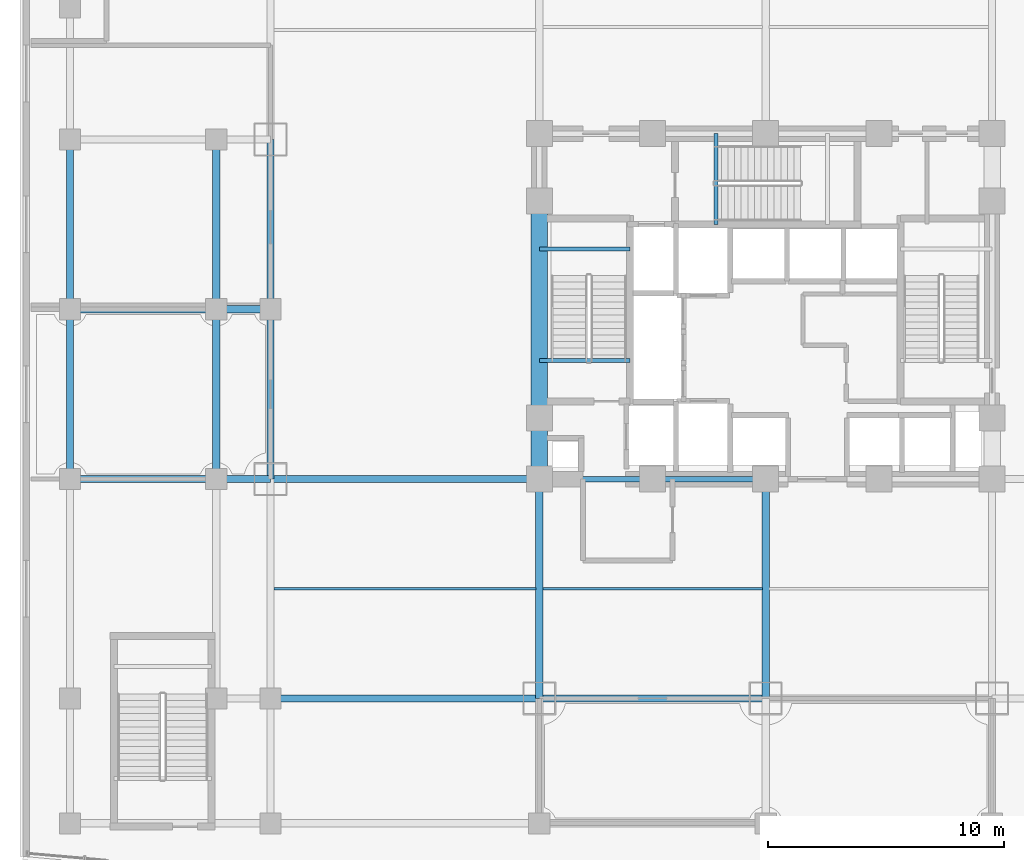
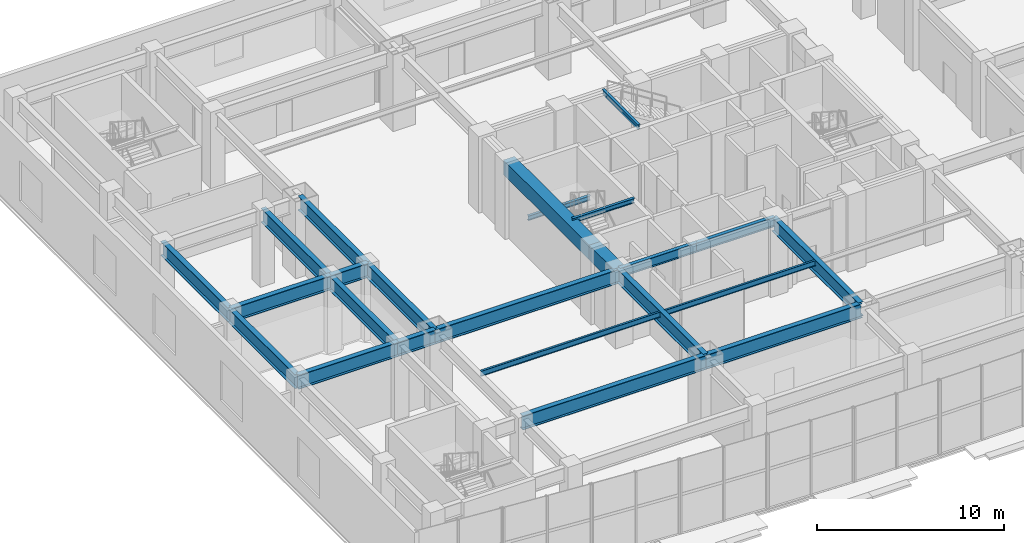
# One storey, part 6 of 24: 24 beams.
"""IFC4 building model written with IfcOpenShell, lengths in metres."""

from ifc_helpers import new_model, si_unit, direction, frame, origin, origin_2d, place, context, subcontext, project, spatial, rectangle, i_section, extrude, material, material_profile, profile_set, type_object, element, save


model = new_model("IFC4")

# Units and contexts
model_context = context("Model", 3, precision=1e-05, world=origin(), true_north=direction((0.0, 1.0)))
body_context = subcontext(model_context, "Body", "Model", "MODEL_VIEW")
ifc_project = project(units=[si_unit("LENGTHUNIT", "METRE"), si_unit("AREAUNIT", "SQUARE_METRE"), si_unit("VOLUMEUNIT", "CUBIC_METRE"), si_unit("PLANEANGLEUNIT", "RADIAN"), si_unit("MASSUNIT", "GRAM", prefix="KILO")], contexts=[model_context])

# Site, building, storey
site_placement = place(None, origin())
site = spatial("IfcSite", under=ifc_project, at=site_placement, CompositionType="ELEMENT")
building_placement = place(site_placement, origin())
building = spatial("IfcBuilding", under=site, at=building_placement, Name="Vantalir Tower", CompositionType="ELEMENT")
storey_placement = place(building_placement, frame((0.0, 0.0, 6.0)))
storey = spatial("IfcBuildingStorey", under=building, at=storey_placement, Name="L01", CompositionType="ELEMENT", Elevation=6.0)

# Beams
ifc_material_1 = material(Name="Concrete C60/75", Category="concrete")
ifc_material_profile_1 = material_profile(ifc_material_1, rectangle(XDim=0.699951171875, YDim=0.949951171875, at=origin_2d()), Name="Concrete C60/75")
ifc_profile_set_1 = profile_set([ifc_material_profile_1], Name="Concrete C60/75")
beam_type_1 = type_object("IfcBeamType", Name="BM-CB-700x950", PredefinedType="USERDEFINED", material=ifc_profile_set_1)
beam_1_placement = place(storey_placement, frame((21.89990234375, 29.60009765625, 4.344970703125), z_axis=(0.0, -1.0, 0.0), x_axis=(1.0, 0.0, 0.0)))
element("IfcBeam", 1, at=beam_1_placement, inside=storey, type_object=beam_type_1, Name="Level 01 Core Coupling Girder 13", ObjectType="GIRDER", PredefinedType="USERDEFINED", context=body_context, shape_type="SweptSolid", body=[
    extrude(rectangle(XDim=0.699951171875, YDim=0.949951171875, at=origin_2d()), origin(), (0.0, 0.0, 1.0), 9.2001953125),
])
beam_2_placement = place(storey_placement, frame((21.89990234375, 20.39990234375, 4.344970703125), z_axis=(0.0, -1.0, 0.0), x_axis=(1.0, 0.0, 0.0)))
element("IfcBeam", 2, at=beam_2_placement, inside=storey, type_object=beam_type_1, Name="Level 01 Core Coupling Girder 14", ObjectType="GIRDER", PredefinedType="USERDEFINED", context=body_context, shape_type="SweptSolid", body=[
    extrude(rectangle(XDim=0.699951171875, YDim=0.949951171875, at=origin_2d()), origin(), (0.0, 0.0, 1.0), 2.599853515625),
])
ifc_material_2 = material(Name="Steel S355", Category="steel")
ifc_material_profile_2 = material_profile(ifc_material_2, i_section(OverallWidth=0.166015625, OverallDepth=0.306884765625, WebThickness=0.006591796875, FlangeThickness=0.01171875, at=origin_2d()), Name="Steel S355")
ifc_profile_set_2 = profile_set([ifc_material_profile_2], Name="Steel S355")
beam_type_2 = type_object("IfcBeamType", Name="BM-JS-305x165", PredefinedType="JOIST", material=ifc_profile_set_2)
for number, where, z_axis, x_axis, name in (
    (3, (21.89990234375, 22.8349609375, 4.845947265625), (1.0, 0.0, 0.0), (0.0, 1.0, 0.0), "Level 02 Stair ST1 Well Nosing Trimmer Beam"),
    (4, (21.89990234375, 27.56494140625, 2.14697265625), (1.0, 0.0, 0.0), (0.0, 1.0, 0.0), "Level 01 Stair ST1 Half-Landing Support Beam"),
):
    element("IfcBeam", number, at=place(storey_placement, frame(where, z_axis=z_axis, x_axis=x_axis)), inside=storey, type_object=beam_type_2, Name=name, PredefinedType="JOIST", context=body_context, shape_type="SweptSolid", body=[
        extrude(i_section(OverallWidth=0.166015625, OverallDepth=0.306884765625, WebThickness=0.006591796875, FlangeThickness=0.01171875, at=origin_2d()), origin(), (0.0, 0.0, 1.0), 3.840087890625),
    ])
beam_3_placement = place(storey_placement, frame((29.385009765625, 28.60009765625, 4.845947265625), z_axis=(0.0, 1.0, 0.0), x_axis=(-1.0, 0.0, 0.0)))
element("IfcBeam", 5, at=beam_3_placement, inside=storey, type_object=beam_type_2, Name="Level 02 Stair ST3 Well Nosing Trimmer Beam", PredefinedType="JOIST", context=body_context, shape_type="SweptSolid", body=[
    extrude(i_section(OverallWidth=0.166015625, OverallDepth=0.306884765625, WebThickness=0.006591796875, FlangeThickness=0.01171875, at=origin_2d()), origin(), (0.0, 0.0, 1.0), 3.849853515625),
])
ifc_material_profile_3 = material_profile(ifc_material_2, i_section(OverallWidth=0.1259765625, OverallDepth=0.35302734375, WebThickness=0.006591796875, FlangeThickness=0.0107421875, at=origin_2d()), Name="Steel S355")
ifc_profile_set_3 = profile_set([ifc_material_profile_3], Name="Steel S355")
beam_type_3 = type_object("IfcBeamType", Name="BM-JS-356x127", PredefinedType="JOIST", material=ifc_profile_set_3)
beam_4_placement = place(storey_placement, frame((10.64501953125, 13.14990234375, 4.64404296875), z_axis=(1.0, 0.0, 0.0), x_axis=(0.0, 1.0, 0.0)))
element("IfcBeam", 6, at=beam_4_placement, inside=storey, type_object=beam_type_3, Name="Level 01 Secondary Composite Joist 01", PredefinedType="JOIST", context=body_context, shape_type="SweptSolid", body=[
    extrude(i_section(OverallWidth=0.1259765625, OverallDepth=0.35302734375, WebThickness=0.006591796875, FlangeThickness=0.0107421875, at=origin_2d()), origin(), (0.0, 0.0, 1.0), 11.10986328125),
])
beam_5_placement = place(storey_placement, frame((22.044921875, 13.14990234375, 4.64404296875), z_axis=(1.0, 0.0, 0.0), x_axis=(0.0, 1.0, 0.0)))
element("IfcBeam", 7, at=beam_5_placement, inside=storey, type_object=beam_type_3, Name="Level 01 Secondary Composite Joist 03", PredefinedType="JOIST", context=body_context, shape_type="SweptSolid", body=[
    extrude(i_section(OverallWidth=0.1259765625, OverallDepth=0.35302734375, WebThickness=0.006591796875, FlangeThickness=0.0107421875, at=origin_2d()), origin(), (0.0, 0.0, 1.0), 9.31005859375),
])
ifc_material_profile_4 = material_profile(ifc_material_2, i_section(OverallWidth=0.30810546875, OverallDepth=0.927001953125, WebThickness=0.01953125, FlangeThickness=0.031982421875, at=origin_2d()), Name="Steel S355")
ifc_profile_set_4 = profile_set([ifc_material_profile_4], Name="Steel S355")
beam_type_4 = type_object("IfcBeamType", Name="BM-PG-914x305", PredefinedType="USERDEFINED", material=ifc_profile_set_4)
beam_6_placement = place(storey_placement, frame((10.5, 8.5, 4.35595703125), z_axis=(1.0, 0.0, 0.0), x_axis=(0.0, 1.0, 0.0)))
element("IfcBeam", 8, at=beam_6_placement, inside=storey, type_object=beam_type_4, Name="Level 01 Podium E-W Girder 08", ObjectType="GIRDER", PredefinedType="USERDEFINED", context=body_context, shape_type="SweptSolid", body=[
    extrude(i_section(OverallWidth=0.30810546875, OverallDepth=0.927001953125, WebThickness=0.01953125, FlangeThickness=0.031982421875, at=origin_2d()), origin(), (0.0, 0.0, 1.0), 11.39990234375),
])
beam_7_placement = place(storey_placement, frame((21.89990234375, 8.5, 4.35595703125), z_axis=(1.0, 0.0, 0.0), x_axis=(0.0, 1.0, 0.0)))
element("IfcBeam", 9, at=beam_7_placement, inside=storey, type_object=beam_type_4, Name="Level 01 Podium E-W Girder 09", ObjectType="GIRDER", PredefinedType="USERDEFINED", context=body_context, shape_type="SweptSolid", body=[
    extrude(i_section(OverallWidth=0.30810546875, OverallDepth=0.927001953125, WebThickness=0.01953125, FlangeThickness=0.031982421875, at=origin_2d()), origin(), (0.0, 0.0, 1.0), 9.60009765625),
])
beam_8_placement = place(storey_placement, frame((2.0, 17.800048828125, 4.35595703125), z_axis=(1.0, 0.0, 0.0), x_axis=(0.0, 1.0, 0.0)))
element("IfcBeam", 10, at=beam_8_placement, inside=storey, type_object=beam_type_4, Name="Level 01 Podium E-W Girder 12", ObjectType="GIRDER", PredefinedType="USERDEFINED", context=body_context, shape_type="SweptSolid", body=[
    extrude(i_section(OverallWidth=0.30810546875, OverallDepth=0.927001953125, WebThickness=0.01953125, FlangeThickness=0.031982421875, at=origin_2d()), origin(), (0.0, 0.0, 1.0), 6.199951171875),
])
beam_9_placement = place(storey_placement, frame((8.199951171875, 17.800048828125, 4.35595703125), z_axis=(1.0, 0.0, 0.0), x_axis=(0.0, 1.0, 0.0)))
element("IfcBeam", 11, at=beam_9_placement, inside=storey, type_object=beam_type_4, Name="Level 01 Podium E-W Girder 13", ObjectType="GIRDER", PredefinedType="USERDEFINED", context=body_context, shape_type="SweptSolid", body=[
    extrude(i_section(OverallWidth=0.30810546875, OverallDepth=0.927001953125, WebThickness=0.01953125, FlangeThickness=0.031982421875, at=origin_2d()), origin(), (0.0, 0.0, 1.0), 2.300048828125),
])
beam_10_placement = place(storey_placement, frame((10.5, 17.800048828125, 4.35595703125), z_axis=(1.0, 0.0, 0.0), x_axis=(0.0, 1.0, 0.0)))
element("IfcBeam", 12, at=beam_10_placement, inside=storey, type_object=beam_type_4, Name="Level 01 Podium E-W Girder 14", ObjectType="GIRDER", PredefinedType="USERDEFINED", context=body_context, shape_type="SweptSolid", body=[
    extrude(i_section(OverallWidth=0.30810546875, OverallDepth=0.927001953125, WebThickness=0.01953125, FlangeThickness=0.031982421875, at=origin_2d()), origin(), (0.0, 0.0, 1.0), 11.39990234375),
])
beam_11_placement = place(storey_placement, frame((2.0, 25.0, 4.35595703125), z_axis=(1.0, 0.0, 0.0), x_axis=(0.0, 1.0, 0.0)))
element("IfcBeam", 13, at=beam_11_placement, inside=storey, type_object=beam_type_4, Name="Level 01 Podium E-W Girder 21", ObjectType="GIRDER", PredefinedType="USERDEFINED", context=body_context, shape_type="SweptSolid", body=[
    extrude(i_section(OverallWidth=0.30810546875, OverallDepth=0.927001953125, WebThickness=0.01953125, FlangeThickness=0.031982421875, at=origin_2d()), origin(), (0.0, 0.0, 1.0), 6.199951171875),
])
beam_12_placement = place(storey_placement, frame((8.199951171875, 25.0, 4.35595703125), z_axis=(1.0, 0.0, 0.0), x_axis=(0.0, 1.0, 0.0)))
element("IfcBeam", 14, at=beam_12_placement, inside=storey, type_object=beam_type_4, Name="Level 01 Podium E-W Girder 22", ObjectType="GIRDER", PredefinedType="USERDEFINED", context=body_context, shape_type="SweptSolid", body=[
    extrude(i_section(OverallWidth=0.30810546875, OverallDepth=0.927001953125, WebThickness=0.01953125, FlangeThickness=0.031982421875, at=origin_2d()), origin(), (0.0, 0.0, 1.0), 2.300048828125),
])
for number, where, z_axis, x_axis, name in (
    (15, (2.0, 17.800048828125, 4.35595703125), (0.0, 1.0, 0.0), (-1.0, 0.0, 0.0), "Level 01 Podium N-S Girder 43"),
    (16, (2.0, 25.0, 4.35595703125), (0.0, 1.0, 0.0), (-1.0, 0.0, 0.0), "Level 01 Podium N-S Girder 44"),
    (17, (8.199951171875, 17.800048828125, 4.35595703125), (0.0, 1.0, 0.0), (-1.0, 0.0, 0.0), "Level 01 Podium N-S Girder 48"),
    (18, (8.199951171875, 25.0, 4.35595703125), (0.0, 1.0, 0.0), (-1.0, 0.0, 0.0), "Level 01 Podium N-S Girder 49"),
    (19, (10.5, 17.800048828125, 4.35595703125), (0.0, 1.0, 0.0), (-1.0, 0.0, 0.0), "Level 01 Podium N-S Girder 52"),
    (20, (10.5, 25.0, 4.35595703125), (0.0, 1.0, 0.0), (-1.0, 0.0, 0.0), "Level 01 Podium N-S Girder 53"),
):
    element("IfcBeam", number, at=place(storey_placement, frame(where, z_axis=z_axis, x_axis=x_axis)), inside=storey, type_object=beam_type_4, Name=name, ObjectType="GIRDER", PredefinedType="USERDEFINED", context=body_context, shape_type="SweptSolid", body=[
        extrude(i_section(OverallWidth=0.30810546875, OverallDepth=0.927001953125, WebThickness=0.01953125, FlangeThickness=0.031982421875, at=origin_2d()), origin(), (0.0, 0.0, 1.0), 7.199951171875),
    ])
for number, where, z_axis, x_axis, name in (
    (21, (21.89990234375, 8.5, 4.35595703125), (0.0, 1.0, 0.0), (-1.0, 0.0, 0.0), "Level 01 Podium N-S Girder 57"),
    (22, (31.5, 8.5, 4.35595703125), (0.0, 1.0, 0.0), (-1.0, 0.0, 0.0), "Level 01 Podium N-S Girder 64"),
):
    element("IfcBeam", number, at=place(storey_placement, frame(where, z_axis=z_axis, x_axis=x_axis)), inside=storey, type_object=beam_type_4, Name=name, ObjectType="GIRDER", PredefinedType="USERDEFINED", context=body_context, shape_type="SweptSolid", body=[
        extrude(i_section(OverallWidth=0.30810546875, OverallDepth=0.927001953125, WebThickness=0.01953125, FlangeThickness=0.031982421875, at=origin_2d()), origin(), (0.0, 0.0, 1.0), 9.300048828125),
    ])
ifc_material_profile_5 = material_profile(ifc_material_2, i_section(OverallWidth=0.22998046875, OverallDepth=0.616943359375, WebThickness=0.01318359375, FlangeThickness=0.022216796875, at=origin_2d()), Name="Steel S355")
ifc_profile_set_5 = profile_set([ifc_material_profile_5], Name="Steel S355")
beam_type_5 = type_object("IfcBeamType", Name="BM-RB-610x229", PredefinedType="BEAM", material=ifc_profile_set_5)
for number, where, z_axis, x_axis, name in (
    (23, (21.89990234375, 17.800048828125, 4.511962890625), (1.0, 0.0, 0.0), (0.0, 1.0, 0.0), "Level 01 Core Coupling Girder 01"),
    (24, (26.699951171875, 17.800048828125, 4.511962890625), (1.0, 0.0, 0.0), (0.0, 1.0, 0.0), "Level 01 Core Coupling Girder 02"),
):
    element("IfcBeam", number, at=place(storey_placement, frame(where, z_axis=z_axis, x_axis=x_axis)), inside=storey, type_object=beam_type_5, Name=name, PredefinedType="BEAM", context=body_context, shape_type="SweptSolid", body=[
        extrude(i_section(OverallWidth=0.22998046875, OverallDepth=0.616943359375, WebThickness=0.01318359375, FlangeThickness=0.022216796875, at=origin_2d()), origin(), (0.0, 0.0, 1.0), 4.800048828125),
    ])

save(model, "model.ifc")
